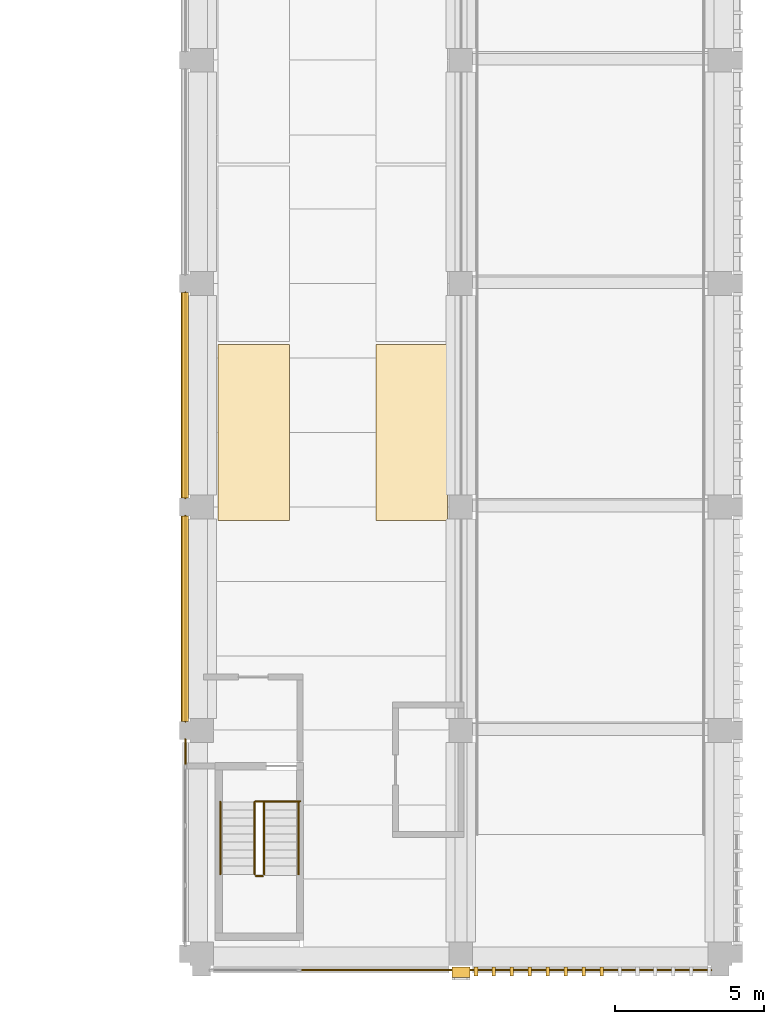
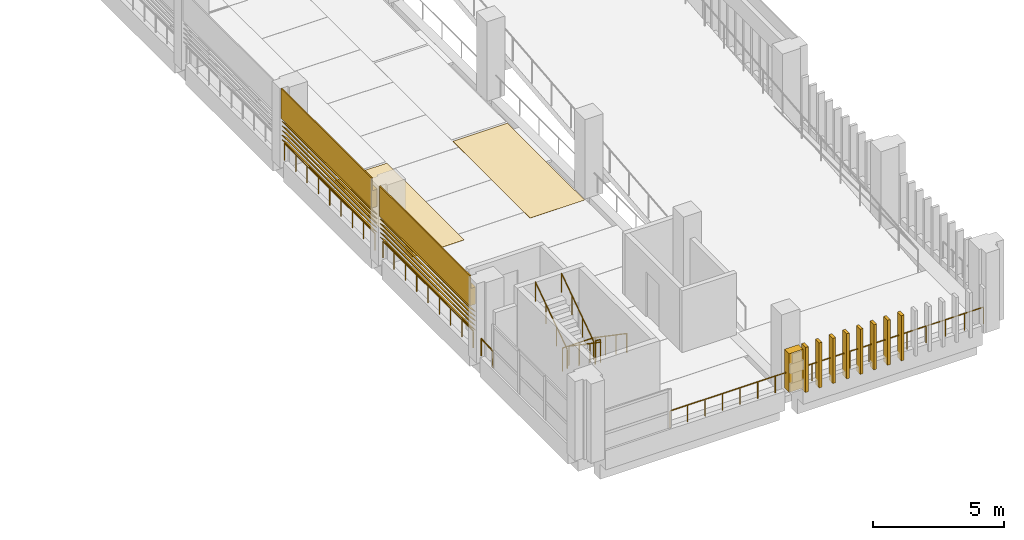
# One storey, part 58 of 71: 13 coverings, 11 railings, 10 shading devices.
"""IFC4 building model written with IfcOpenShell, lengths in metres."""

from ifc_helpers import new_model, si_unit, direction, frame, origin, origin_2d, place, context, subcontext, project, spatial, polyline, circle, outline, extrude, material, layer, layer_set, type_object, element, save


model = new_model("IFC4")

# Units and contexts
model_context = context("Model", 3, precision=1e-05, world=origin(), true_north=direction((0.0, 1.0)))
body_context = subcontext(model_context, "Body", "Model", "MODEL_VIEW")
ifc_project = project(units=[si_unit("LENGTHUNIT", "METRE"), si_unit("AREAUNIT", "SQUARE_METRE"), si_unit("VOLUMEUNIT", "CUBIC_METRE"), si_unit("PLANEANGLEUNIT", "RADIAN"), si_unit("MASSUNIT", "GRAM", prefix="KILO")], contexts=[model_context])

# Site, building, storey
site_placement = place(None, origin())
site = spatial("IfcSite", under=ifc_project, at=site_placement, CompositionType="ELEMENT")
building_placement = place(site_placement, origin())
building = spatial("IfcBuilding", under=site, at=building_placement, Name="Cour d'Honneur Mobility Palace", CompositionType="ELEMENT")
storey_placement = place(building_placement, frame((0.0, 0.0, 15.60009765625)))
storey = spatial("IfcBuildingStorey", under=building, at=storey_placement, Name="L04", CompositionType="ELEMENT", Elevation=15.60009765625)

# Railings
ifc_material_1 = material(Name="Painted steel", Category="steel")
railing_type_1 = type_object("IfcRailingType", Name="Balustrade", PredefinedType="BALUSTRADE", material=ifc_material_1)
for number, where, name in (
    (1, (144.35009765625, 22.199951171875, 0.2998046875), "Balustrade BAL-221"),
    (2, (144.35009765625, 14.699951171875, 0.2998046875), "Balustrade BAL-222"),
):
    element("IfcRailing", number, at=place(storey_placement, frame(where)), inside=storey, type_object=railing_type_1, Name=name, PredefinedType="BALUSTRADE", context=body_context, shape_type="SweptSolid", body=[
        extrude(circle(Radius=0.02392578125, at=origin_2d()), frame((0.0, 0.0, 0.77587890625), z_axis=(0.0, -1.0, 0.0), x_axis=(1.0, 0.0, 0.0)), (0.0, 0.0, 1.0), 6.89990234375),
        extrude(circle(Radius=0.02099609375, at=origin_2d()), origin(), (0.0, 0.0, 1.0), 0.751953125),
        extrude(circle(Radius=0.02099609375, at=origin_2d()), frame((0.0, -0.862548828125, 0.0)), (0.0, 0.0, 1.0), 0.751953125),
        extrude(circle(Radius=0.02099609375, at=origin_2d()), frame((0.0, -1.72509765625, 0.0)), (0.0, 0.0, 1.0), 0.751953125),
        extrude(circle(Radius=0.02099609375, at=origin_2d()), frame((0.0, -2.58740234375, 0.0)), (0.0, 0.0, 1.0), 0.751953125),
        extrude(circle(Radius=0.02099609375, at=origin_2d()), frame((0.0, -3.449951171875, 0.0)), (0.0, 0.0, 1.0), 0.751953125),
        extrude(circle(Radius=0.02099609375, at=origin_2d()), frame((0.0, -4.3125, 0.0)), (0.0, 0.0, 1.0), 0.751953125),
        extrude(circle(Radius=0.02099609375, at=origin_2d()), frame((0.0, -5.1748046875, 0.0)), (0.0, 0.0, 1.0), 0.751953125),
        extrude(circle(Radius=0.02099609375, at=origin_2d()), frame((0.0, -6.037353515625, 0.0)), (0.0, 0.0, 1.0), 0.751953125),
        extrude(circle(Radius=0.02099609375, at=origin_2d()), frame((0.0, -6.89990234375, 0.0)), (0.0, 0.0, 1.0), 0.751953125),
    ])
railing_1_placement = place(storey_placement, frame((144.35009765625, 7.199951171875, 0.2998046875)))
element("IfcRailing", 3, at=railing_1_placement, inside=storey, type_object=railing_type_1, Name="Balustrade BAL-223", PredefinedType="BALUSTRADE", context=body_context, shape_type="SweptSolid", body=[
    extrude(circle(Radius=0.02392578125, at=origin_2d()), frame((0.0, 0.0, 0.77587890625), z_axis=(0.0, -1.0, 0.0), x_axis=(1.0, 0.0, 0.0)), (0.0, 0.0, 1.0), 0.89990234375),
    extrude(circle(Radius=0.02099609375, at=origin_2d()), origin(), (0.0, 0.0, 1.0), 0.751953125),
    extrude(circle(Radius=0.02099609375, at=origin_2d()), frame((0.0, -0.89990234375, 0.0)), (0.0, 0.0, 1.0), 0.751953125),
])
railing_2_placement = place(storey_placement, frame((148.199951171875, -0.550048828125, 0.2998046875)))
element("IfcRailing", 4, at=railing_2_placement, inside=storey, type_object=railing_type_1, Name="Balustrade BAL-224", PredefinedType="BALUSTRADE", context=body_context, shape_type="SweptSolid", body=[
    extrude(circle(Radius=0.02392578125, at=origin_2d()), frame((0.0, 0.0, 0.77587890625), z_axis=(1.0, 0.0, 0.0), x_axis=(0.0, 1.0, 0.0)), (0.0, 0.0, 1.0), 5.400146484375),
    extrude(circle(Radius=0.02099609375, at=origin_2d()), origin(), (0.0, 0.0, 1.0), 0.751953125),
    extrude(circle(Radius=0.02099609375, at=origin_2d()), frame((0.771484375, 0.0, 0.0)), (0.0, 0.0, 1.0), 0.751953125),
    extrude(circle(Radius=0.02099609375, at=origin_2d()), frame((1.54296875, 0.0, 0.0)), (0.0, 0.0, 1.0), 0.751953125),
    extrude(circle(Radius=0.02099609375, at=origin_2d()), frame((2.314453125, 0.0, 0.0)), (0.0, 0.0, 1.0), 0.751953125),
    extrude(circle(Radius=0.02099609375, at=origin_2d()), frame((3.085693359375, 0.0, 0.0)), (0.0, 0.0, 1.0), 0.751953125),
    extrude(circle(Radius=0.02099609375, at=origin_2d()), frame((3.857177734375, 0.0, 0.0)), (0.0, 0.0, 1.0), 0.751953125),
    extrude(circle(Radius=0.02099609375, at=origin_2d()), frame((4.628662109375, 0.0, 0.0)), (0.0, 0.0, 1.0), 0.751953125),
    extrude(circle(Radius=0.02099609375, at=origin_2d()), frame((5.400146484375, 0.0, 0.0)), (0.0, 0.0, 1.0), 0.751953125),
])
railing_3_placement = place(storey_placement, frame((153.60009765625, -0.550048828125, 0.2998046875)))
element("IfcRailing", 5, at=railing_3_placement, inside=storey, type_object=railing_type_1, Name="Balustrade BAL-225", PredefinedType="BALUSTRADE", context=body_context, shape_type="SweptSolid", body=[
    extrude(circle(Radius=0.02392578125, at=origin_2d()), frame((0.0, 0.0, 0.77587890625), z_axis=(1.0, 0.0, 0.0), x_axis=(0.0, 1.0, 0.0)), (0.0, 0.0, 1.0), 8.39990234375),
    extrude(circle(Radius=0.02099609375, at=origin_2d()), origin(), (0.0, 0.0, 1.0), 0.751953125),
    extrude(circle(Radius=0.02099609375, at=origin_2d()), frame((0.840087890625, 0.0, 0.0)), (0.0, 0.0, 1.0), 0.751953125),
    extrude(circle(Radius=0.02099609375, at=origin_2d()), frame((1.679931640625, 0.0, 0.0)), (0.0, 0.0, 1.0), 0.751953125),
    extrude(circle(Radius=0.02099609375, at=origin_2d()), frame((2.52001953125, 0.0, 0.0)), (0.0, 0.0, 1.0), 0.751953125),
    extrude(circle(Radius=0.02099609375, at=origin_2d()), frame((3.35986328125, 0.0, 0.0)), (0.0, 0.0, 1.0), 0.751953125),
    extrude(circle(Radius=0.02099609375, at=origin_2d()), frame((4.199951171875, 0.0, 0.0)), (0.0, 0.0, 1.0), 0.751953125),
    extrude(circle(Radius=0.02099609375, at=origin_2d()), frame((5.0400390625, 0.0, 0.0)), (0.0, 0.0, 1.0), 0.751953125),
    extrude(circle(Radius=0.02099609375, at=origin_2d()), frame((5.8798828125, 0.0, 0.0)), (0.0, 0.0, 1.0), 0.751953125),
    extrude(circle(Radius=0.02099609375, at=origin_2d()), frame((6.719970703125, 0.0, 0.0)), (0.0, 0.0, 1.0), 0.751953125),
    extrude(circle(Radius=0.02099609375, at=origin_2d()), frame((7.559814453125, 0.0, 0.0)), (0.0, 0.0, 1.0), 0.751953125),
    extrude(circle(Radius=0.02099609375, at=origin_2d()), frame((8.39990234375, 0.0, 0.0)), (0.0, 0.0, 1.0), 0.751953125),
])
ifc_material_2 = material(Name="Painted steel", Category="steel")
railing_type_2 = type_object("IfcRailingType", Name="Guardrail 1100", PredefinedType="GUARDRAIL", material=ifc_material_2)
railing_4_placement = place(storey_placement, frame((146.72509765625, 5.1201171875, 0.0)))
element("IfcRailing", 6, at=railing_4_placement, inside=storey, type_object=railing_type_2, Name="Guard ST-RE1", PredefinedType="GUARDRAIL", context=body_context, shape_type="SweptSolid", body=[
    extrude(circle(Radius=0.02490234375, at=origin_2d()), frame((0.0, 0.0, 1.0751953125), z_axis=(1.0, 0.0, 0.0), x_axis=(0.0, 1.0, 0.0)), (0.0, 0.0, 1.0), 1.474853515625),
    extrude(circle(Radius=0.02099609375, at=origin_2d()), origin(), (0.0, 0.0, 1.0), 1.050048828125),
    extrude(circle(Radius=0.02099609375, at=origin_2d()), frame((0.7373046875, 0.0, 0.0)), (0.0, 0.0, 1.0), 1.050048828125),
    extrude(circle(Radius=0.02099609375, at=origin_2d()), frame((1.474853515625, 0.0, 0.0)), (0.0, 0.0, 1.0), 1.050048828125),
])
railing_5_placement = place(storey_placement, frame((146.72509765625, 2.610107421875, 1.849853515625)))
element("IfcRailing", 7, at=railing_5_placement, inside=storey, type_object=railing_type_2, Name="Landing guard ST-RE1", PredefinedType="GUARDRAIL", context=body_context, shape_type="SweptSolid", body=[
    extrude(circle(Radius=0.02490234375, at=origin_2d()), frame((0.0, 0.0, 1.0751953125), z_axis=(1.0, 0.0, 0.0), x_axis=(0.0, 1.0, 0.0)), (0.0, 0.0, 1.0), 0.224853515625),
    extrude(circle(Radius=0.02099609375, at=origin_2d()), origin(), (0.0, 0.0, 1.0), 1.050048828125),
    extrude(circle(Radius=0.02099609375, at=origin_2d()), frame((0.224853515625, 0.0, 0.0)), (0.0, 0.0, 1.0), 1.050048828125),
])
ifc_material_3 = material(Name="Stainless steel", Category="steel")
railing_type_3 = type_object("IfcRailingType", Name="Handrail round 50", PredefinedType="HANDRAIL", material=ifc_material_3)
for number, where, name in (
    (8, (148.14990234375, 5.10009765625, 0.184814453125), "Handrail ST-RE1"),
    (9, (147.0, 5.10009765625, 0.184814453125), "Handrail ST-RE1"),
):
    element("IfcRailing", number, at=place(storey_placement, frame(where)), inside=storey, type_object=railing_type_3, Name=name, PredefinedType="HANDRAIL", context=body_context, shape_type="SweptSolid", body=[
        extrude(circle(Radius=0.02490234375, at=origin_2d()), frame((0.0, 0.0, 0.89501953125), z_axis=(0.0, -0.824945253146, 0.565212640793), x_axis=(1.0, 0.0, 0.0)), (0.0, 0.0, 1.0), 2.94580078125),
        extrude(circle(Radius=0.02099609375, at=origin_2d()), origin(), (0.0, 0.0, 1.0), 0.869873046875),
        extrude(circle(Radius=0.02099609375, at=origin_2d()), frame((0.0, -0.81005859375, 0.554931640625)), (0.0, 0.0, 1.0), 0.869873046875),
        extrude(circle(Radius=0.02099609375, at=origin_2d()), frame((0.0, -1.6201171875, 1.110107421875)), (0.0, 0.0, 1.0), 0.869873046875),
        extrude(circle(Radius=0.02099609375, at=origin_2d()), frame((0.0, -2.43017578125, 1.6650390625)), (0.0, 0.0, 1.0), 0.869873046875),
    ])
for number, where, name in (
    (10, (146.675048828125, 2.669921875, 2.034912109375), "Handrail ST-RE1"),
    (11, (145.52490234375, 2.669921875, 2.034912109375), "Handrail ST-RE1"),
):
    element("IfcRailing", number, at=place(storey_placement, frame(where)), inside=storey, type_object=railing_type_3, Name=name, PredefinedType="HANDRAIL", context=body_context, shape_type="SweptSolid", body=[
        extrude(circle(Radius=0.02490234375, at=origin_2d()), frame((0.0, 0.0, 0.89501953125), z_axis=(0.0, 0.824945253146, 0.565212640793), x_axis=(-1.0, 0.0, 0.0)), (0.0, 0.0, 1.0), 2.94580078125),
        extrude(circle(Radius=0.02099609375, at=origin_2d()), origin(), (0.0, 0.0, 1.0), 0.869873046875),
        extrude(circle(Radius=0.02099609375, at=origin_2d()), frame((0.0, 0.81005859375, 0.554931640625)), (0.0, 0.0, 1.0), 0.869873046875),
        extrude(circle(Radius=0.02099609375, at=origin_2d()), frame((0.0, 1.6201171875, 1.110107421875)), (0.0, 0.0, 1.0), 0.869873046875),
        extrude(circle(Radius=0.02099609375, at=origin_2d()), frame((0.0, 2.43017578125, 1.6650390625)), (0.0, 0.0, 1.0), 0.869873046875),
    ])

# Coverings
ifc_material_4 = material(Name="Parking marking paint")
ifc_layer_1 = layer(ifc_material_4, 0.0048828125)
ifc_layer_set_1 = layer_set([ifc_layer_1], Name="Parking marking paint")
covering_type_1 = type_object("IfcCoveringType", Name="Parking bay marking", PredefinedType="FLOORING", material=ifc_layer_set_1)
covering_1_placement = place(storey_placement, origin())
element("IfcCovering", 12, at=covering_1_placement, inside=storey, type_object=covering_type_1, Name="Parking bay marking L04 44", PredefinedType="FLOORING", context=body_context, shape_type="SweptSolid", body=[
    extrude(outline(polyline([(153.14990234375, 14.550048828125), (150.75, 14.550048828125), (150.75, 20.449951171875), (153.14990234375, 20.449951171875), (153.14990234375, 14.550048828125)])), origin(), (0.0, 0.0, 1.0), 0.0048828125),
])
covering_2_placement = place(storey_placement, origin())
element("IfcCovering", 13, at=covering_2_placement, inside=storey, type_object=covering_type_1, Name="Parking bay marking L04 48", PredefinedType="FLOORING", context=body_context, shape_type="SweptSolid", body=[
    extrude(outline(polyline([(147.85009765625, 14.550048828125), (145.449951171875, 14.550048828125), (145.449951171875, 20.449951171875), (147.85009765625, 20.449951171875), (147.85009765625, 14.550048828125)])), origin(), (0.0, 0.0, 1.0), 0.0048828125),
])
ifc_material_5 = material(Name="Cast limestone", Category="masonry")
ifc_layer_2 = layer(ifc_material_5, 0.35009765625)
ifc_layer_set_2 = layer_set([ifc_layer_2], Name="Cast limestone")
covering_type_2 = type_object("IfcCoveringType", Name="Pier pilaster", PredefinedType="CLADDING", material=ifc_layer_set_2)
covering_3_placement = place(storey_placement, frame((0.0, 0.0, 0.2998046875)))
element("IfcCovering", 14, at=covering_3_placement, inside=storey, type_object=covering_type_2, Name="Pier pilaster PN-8", PredefinedType="CLADDING", context=body_context, shape_type="SweptSolid", body=[
    extrude(outline(polyline([(153.300048828125, -0.449951171875), (153.89990234375, -0.449951171875), (153.89990234375, -0.800048828125), (153.300048828125, -0.800048828125), (153.300048828125, -0.449951171875)])), origin(), (0.0, 0.0, 1.0), 1.800048828125),
])
ifc_material_6 = material(Name="Cast limestone", Category="masonry")
ifc_layer_3 = layer(ifc_material_6, 0.1201171875)
ifc_layer_set_3 = layer_set([ifc_layer_3], Name="Cast limestone")
covering_type_3 = type_object("IfcCoveringType", Name="Ramp screen fin", PredefinedType="CLADDING", material=ifc_layer_set_3)
covering_4_placement = place(storey_placement, origin())
element("IfcCovering", 15, at=covering_4_placement, inside=storey, type_object=covering_type_3, Name="Ramp screen fin S4.1 L04 1", PredefinedType="CLADDING", context=body_context, shape_type="SweptSolid", body=[
    extrude(outline(polyline([(154.050048828125, -0.449951171875), (154.169921875, -0.449951171875), (154.169921875, -0.75), (154.050048828125, -0.75), (154.050048828125, -0.449951171875)])), origin(), (0.0, 0.0, 1.0), 2.099853515625),
])
covering_5_placement = place(storey_placement, origin())
element("IfcCovering", 16, at=covering_5_placement, inside=storey, type_object=covering_type_3, Name="Ramp screen fin S4.1 L04 2", PredefinedType="CLADDING", context=body_context, shape_type="SweptSolid", body=[
    extrude(outline(polyline([(154.65234375, -0.449951171875), (154.772216796875, -0.449951171875), (154.772216796875, -0.75), (154.65234375, -0.75), (154.65234375, -0.449951171875)])), origin(), (0.0, 0.0, 1.0), 2.099853515625),
])
covering_6_placement = place(storey_placement, origin())
element("IfcCovering", 17, at=covering_6_placement, inside=storey, type_object=covering_type_3, Name="Ramp screen fin S4.1 L04 3", PredefinedType="CLADDING", context=body_context, shape_type="SweptSolid", body=[
    extrude(outline(polyline([(155.254638671875, -0.449951171875), (155.37451171875, -0.449951171875), (155.37451171875, -0.75), (155.254638671875, -0.75), (155.254638671875, -0.449951171875)])), origin(), (0.0, 0.0, 1.0), 2.099853515625),
])
covering_7_placement = place(storey_placement, origin())
element("IfcCovering", 18, at=covering_7_placement, inside=storey, type_object=covering_type_3, Name="Ramp screen fin S4.1 L04 4", PredefinedType="CLADDING", context=body_context, shape_type="SweptSolid", body=[
    extrude(outline(polyline([(155.85693359375, -0.449951171875), (155.976806640625, -0.449951171875), (155.976806640625, -0.75), (155.85693359375, -0.75), (155.85693359375, -0.449951171875)])), origin(), (0.0, 0.0, 1.0), 2.099853515625),
])
covering_8_placement = place(storey_placement, origin())
element("IfcCovering", 19, at=covering_8_placement, inside=storey, type_object=covering_type_3, Name="Ramp screen fin S4.1 L04 5", PredefinedType="CLADDING", context=body_context, shape_type="SweptSolid", body=[
    extrude(outline(polyline([(156.459228515625, -0.449951171875), (156.579345703125, -0.449951171875), (156.579345703125, -0.75), (156.459228515625, -0.75), (156.459228515625, -0.449951171875)])), origin(), (0.0, 0.0, 1.0), 2.099853515625),
])
covering_9_placement = place(storey_placement, origin())
element("IfcCovering", 20, at=covering_9_placement, inside=storey, type_object=covering_type_3, Name="Ramp screen fin S4.1 L04 6", PredefinedType="CLADDING", context=body_context, shape_type="SweptSolid", body=[
    extrude(outline(polyline([(157.0615234375, -0.449951171875), (157.181640625, -0.449951171875), (157.181640625, -0.75), (157.0615234375, -0.75), (157.0615234375, -0.449951171875)])), origin(), (0.0, 0.0, 1.0), 2.099853515625),
])
covering_10_placement = place(storey_placement, origin())
element("IfcCovering", 21, at=covering_10_placement, inside=storey, type_object=covering_type_3, Name="Ramp screen fin S4.1 L04 7", PredefinedType="CLADDING", context=body_context, shape_type="SweptSolid", body=[
    extrude(outline(polyline([(157.663818359375, -0.449951171875), (157.783935546875, -0.449951171875), (157.783935546875, -0.75), (157.663818359375, -0.75), (157.663818359375, -0.449951171875)])), origin(), (0.0, 0.0, 1.0), 2.099853515625),
])
covering_11_placement = place(storey_placement, origin())
element("IfcCovering", 22, at=covering_11_placement, inside=storey, type_object=covering_type_3, Name="Ramp screen fin S4.1 L04 8", PredefinedType="CLADDING", context=body_context, shape_type="SweptSolid", body=[
    extrude(outline(polyline([(158.26611328125, -0.449951171875), (158.38623046875, -0.449951171875), (158.38623046875, -0.75), (158.26611328125, -0.75), (158.26611328125, -0.449951171875)])), origin(), (0.0, 0.0, 1.0), 2.099853515625),
])
ifc_material_7 = material(Name="Cast limestone", Category="masonry")
ifc_layer_4 = layer(ifc_material_7, 0.25)
ifc_layer_set_4 = layer_set([ifc_layer_4], Name="Cast limestone")
covering_type_4 = type_object("IfcCoveringType", Name="Spandrel cladding", PredefinedType="CLADDING", material=ifc_layer_set_4)
for number, where, z_axis, x_axis, name in (
    (23, (144.449951171875, 22.199951171875, 2.2998046875), (0.0, 1.0, 0.0), (-1.0, 0.0, 0.0), "Spandrel cladding SK-297"),
    (24, (144.449951171875, 14.699951171875, 2.2998046875), (0.0, 1.0, 0.0), (-1.0, 0.0, 0.0), "Spandrel cladding SK-298"),
):
    element("IfcCovering", number, at=place(storey_placement, frame(where, z_axis=z_axis, x_axis=x_axis)), inside=storey, type_object=covering_type_4, Name=name, PredefinedType="CLADDING", context=body_context, shape_type="SweptSolid", body=[
        extrude(outline(polyline([(0.0, 0.0), (0.25, 0.0), (0.25, 1.400146484375), (0.199951171875, 1.400146484375), (0.199951171875, 0.800048828125), (0.0, 0.800048828125), (0.0, 0.0)])), origin(), (0.0, 0.0, -1.0), 6.89990234375),
    ])

# Shading devices
ifc_material_8 = material(Name="Terracotta", Category="masonry")
ifc_layer_5 = layer(ifc_material_8, 0.02490234375)
ifc_layer_set_5 = layer_set([ifc_layer_5], Name="Terracotta")
shading_device_type = type_object("IfcShadingDeviceType", Name="Terracotta louvre blade", PredefinedType="JALOUSIE", material=ifc_layer_set_5)
for number, where, z_axis, x_axis, name in (
    (25, (144.4560546875, 22.199951171875, 1.099853515625), (0.707106781187, 0.0, 0.707106781187), (0.0, -1.0, 0.0), "Louvre blade LV-1 W3.3 L04 1"),
    (26, (144.4560546875, 22.199951171875, 1.31201171875), (0.707106781187, 0.0, 0.707106781187), (0.0, -1.0, 0.0), "Louvre blade LV-1 W3.3 L04 2"),
    (27, (144.4560546875, 22.199951171875, 1.524169921875), (0.707106781187, 0.0, 0.707106781187), (0.0, -1.0, 0.0), "Louvre blade LV-1 W3.3 L04 3"),
    (28, (144.4560546875, 22.199951171875, 1.736328125), (0.707106781187, 0.0, 0.707106781187), (0.0, -1.0, 0.0), "Louvre blade LV-1 W3.3 L04 4"),
    (29, (144.4560546875, 22.199951171875, 1.948486328125), (0.707106781187, 0.0, 0.707106781187), (0.0, -1.0, 0.0), "Louvre blade LV-1 W3.3 L04 5"),
    (30, (144.4560546875, 14.699951171875, 1.099853515625), (0.707106781187, 0.0, 0.707106781187), (0.0, -1.0, 0.0), "Louvre blade LV-1 W3.4 L04 1"),
    (31, (144.4560546875, 14.699951171875, 1.31201171875), (0.707106781187, 0.0, 0.707106781187), (0.0, -1.0, 0.0), "Louvre blade LV-1 W3.4 L04 2"),
    (32, (144.4560546875, 14.699951171875, 1.524169921875), (0.707106781187, 0.0, 0.707106781187), (0.0, -1.0, 0.0), "Louvre blade LV-1 W3.4 L04 3"),
    (33, (144.4560546875, 14.699951171875, 1.736328125), (0.707106781187, 0.0, 0.707106781187), (0.0, -1.0, 0.0), "Louvre blade LV-1 W3.4 L04 4"),
    (34, (144.4560546875, 14.699951171875, 1.948486328125), (0.707106781187, 0.0, 0.707106781187), (0.0, -1.0, 0.0), "Louvre blade LV-1 W3.4 L04 5"),
):
    element("IfcShadingDevice", number, at=place(storey_placement, frame(where, z_axis=z_axis, x_axis=x_axis)), inside=storey, type_object=shading_device_type, Name=name, PredefinedType="JALOUSIE", context=body_context, shape_type="SweptSolid", body=[
        extrude(outline(polyline([(0.0, 0.0), (6.89990234375, 0.0), (6.89990234375, -0.300037008228081), (0.0, -0.300037008228081), (0.0, 0.0)])), origin(), (0.0, 0.0, -1.0), 0.02490234375),
    ])

save(model, "model.ifc")
